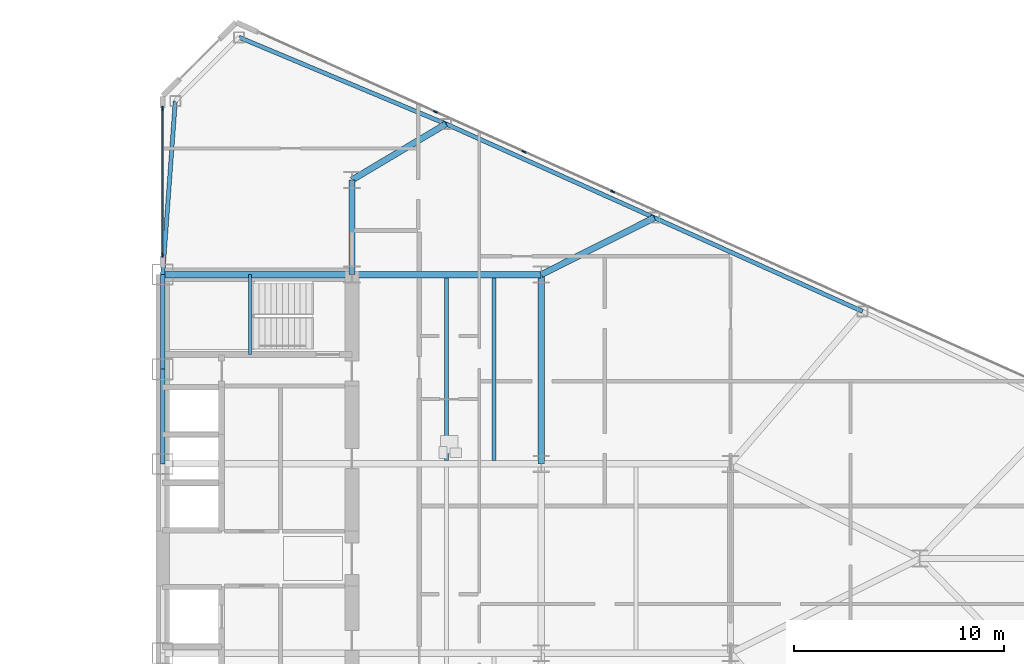
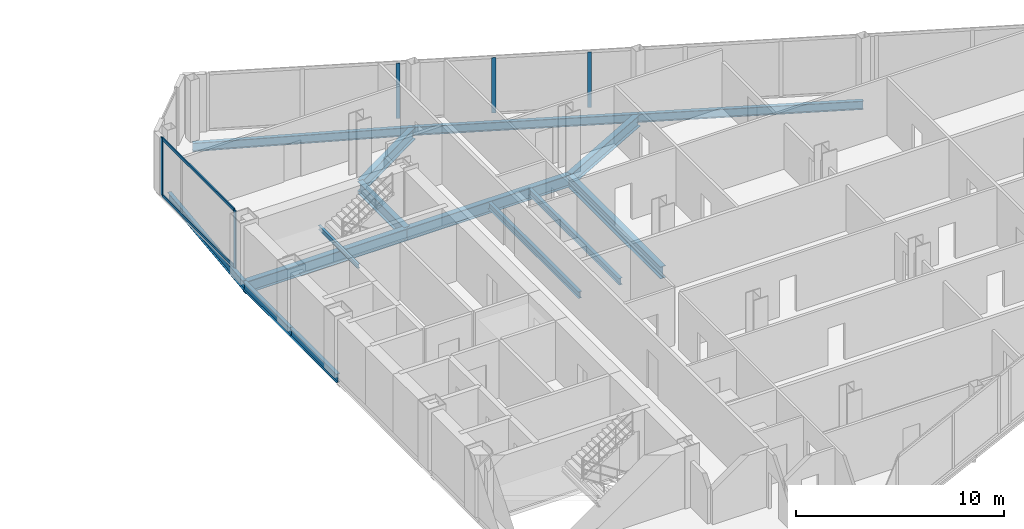
# One storey, part 13 of 27: 15 beams, 7 members, 2 elements without a shape of their own.
"""IFC4 building model written with IfcOpenShell, lengths in metres."""

from ifc_helpers import new_model, si_unit, direction, frame, origin, origin_2d, place, context, subcontext, project, spatial, rectangle, i_section, extrude, source, transform, mapped, material, layer, layer_set, material_profile, profile_set, type_object, type_shapes, element, aggregate, save


model = new_model("IFC4")

# Units and contexts
model_context = context("Model", 3, precision=1e-05, world=origin(), true_north=direction((0.0, 1.0)))
body_context = subcontext(model_context, "Body", "Model", "MODEL_VIEW")
ifc_project = project(units=[si_unit("LENGTHUNIT", "METRE"), si_unit("AREAUNIT", "SQUARE_METRE"), si_unit("VOLUMEUNIT", "CUBIC_METRE"), si_unit("PLANEANGLEUNIT", "RADIAN"), si_unit("MASSUNIT", "GRAM", prefix="KILO")], contexts=[model_context])

# Site, building, storey
site_placement = place(None, origin())
site = spatial("IfcSite", under=ifc_project, at=site_placement, CompositionType="ELEMENT")
building_placement = place(site_placement, origin())
building = spatial("IfcBuilding", under=site, at=building_placement, Name="Seokmaru Belvedere", CompositionType="ELEMENT")
storey_placement = place(building_placement, frame((0.0, 0.0, 65.699951171875)))
storey = spatial("IfcBuildingStorey", under=building, at=storey_placement, Name="L17", CompositionType="ELEMENT", Elevation=65.699951171875)

# Beams
ifc_material_1 = material(Name="Steel SM355 (355 MPa)", Category="steel")
ifc_material_profile_1 = material_profile(ifc_material_1, i_section(OverallWidth=0.199951171875, OverallDepth=0.5, WebThickness=0.010009765625, FlangeThickness=0.01611328125, at=origin_2d()), Name="H-500x200x10x16")
ifc_profile_set_1 = profile_set([ifc_material_profile_1], Name="Steel SM355 (355 MPa)")
beam_type_1 = type_object("IfcBeamType", Name="Perimeter Spandrel Beam H-500", PredefinedType="SPANDREL", material=ifc_profile_set_1)
shared_shape_1 = source(origin(), body_context, "Body", "SweptSolid", [
    extrude(i_section(OverallWidth=0.199951171875, OverallDepth=0.5, WebThickness=0.010009765625, FlangeThickness=0.01611328125, at=origin_2d()), origin(), (0.0, 0.0, 1.0), 4.5),
])
for number, where, z_axis, x_axis, name in (
    (1, (27.5, 4.5, -0.469970703125), (0.0, 1.0, 0.0), (-1.0, 0.0, 0.0), "L17 E Portal Spine Spandrel 4"),
    (2, (27.5, 9.0, -0.469970703125), (0.0, 1.0, 0.0), (-1.0, 0.0, 0.0), "L17 E Portal Spine Spandrel 5"),
):
    element("IfcBeam", number, at=place(storey_placement, frame(where, z_axis=z_axis, x_axis=x_axis)), inside=storey, type_object=beam_type_1, Name=name, PredefinedType="SPANDREL", context=body_context, shape_type="MappedRepresentation", body=[
        mapped(shared_shape_1, transform((0.0, 0.0, 0.0), scale=1.0)),
    ])
ifc_material_profile_2 = material_profile(ifc_material_1, i_section(OverallWidth=0.300048828125, OverallDepth=0.699951171875, WebThickness=0.012939453125, FlangeThickness=0.02392578125, at=origin_2d()), Name="H-700x300x13x24")
ifc_profile_set_2 = profile_set([ifc_material_profile_2], Name="Steel SM355 (355 MPa)")
beam_type_2 = type_object("IfcBeamType", Name="Primary Floor Girder H-700", PredefinedType="BEAM", material=ifc_profile_set_2)
shared_shape_2 = source(origin(), body_context, "Body", "SweptSolid", [
    extrude(i_section(OverallWidth=0.300048828125, OverallDepth=0.699951171875, WebThickness=0.012939453125, FlangeThickness=0.02392578125, at=origin_2d()), origin(), (0.0, 0.0, 1.0), 4.5),
])
beam_1_placement = place(storey_placement, frame((36.5, 13.5, -0.570068359375), z_axis=(0.0, 1.0, 0.0), x_axis=(-1.0, 0.0, 0.0)))
element("IfcBeam", 3, at=beam_1_placement, inside=storey, type_object=beam_type_2, Name="L17 E Core Shoulder Girder N", PredefinedType="BEAM", context=body_context, shape_type="MappedRepresentation", body=[
    mapped(shared_shape_2, transform((0.0, 0.0, 0.0), scale=1.0)),
])
shared_shape_3 = source(origin(), body_context, "Body", "SweptSolid", [
    extrude(i_section(OverallWidth=0.300048828125, OverallDepth=0.699951171875, WebThickness=0.012939453125, FlangeThickness=0.02392578125, at=origin_2d()), origin(), (0.0, 0.0, 1.0), 9.0),
])
for number, where, z_axis, x_axis, name in (
    (4, (45.5, 4.5, -0.570068359375), (0.0, 1.0, 0.0), (-1.0, 0.0, 0.0), "L17 E Interior Grid Girder 3"),
    (5, (27.5, 13.5, -0.570068359375), (1.0, 0.0, 0.0), (0.0, 1.0, 0.0), "L17 E Core Tie Girder 4"),
    (6, (36.5, 13.5, -0.570068359375), (1.0, 0.0, 0.0), (0.0, 1.0, 0.0), "L17 E Wing Primary Girder 4"),
):
    element("IfcBeam", number, at=place(storey_placement, frame(where, z_axis=z_axis, x_axis=x_axis)), inside=storey, type_object=beam_type_2, Name=name, PredefinedType="BEAM", context=body_context, shape_type="MappedRepresentation", body=[
        mapped(shared_shape_3, transform((0.0, 0.0, 0.0), scale=1.0)),
    ])
ifc_material_profile_3 = material_profile(ifc_material_1, i_section(OverallWidth=0.18505859375, OverallDepth=0.389892578125, WebThickness=0.008056640625, FlangeThickness=0.011962890625, at=origin_2d()), Name="H-390x185x8x12")
ifc_profile_set_3 = profile_set([ifc_material_profile_3], Name="Steel SM355 (355 MPa)")
beam_type_3 = type_object("IfcBeamType", Name="Secondary Floor Joist H-350", PredefinedType="JOIST", material=ifc_profile_set_3)
shared_shape_4 = source(origin(), body_context, "Body", "SweptSolid", [
    extrude(i_section(OverallWidth=0.18505859375, OverallDepth=0.389892578125, WebThickness=0.008056640625, FlangeThickness=0.011962890625, at=origin_2d()), origin(), (0.0, 0.0, 1.0), 8.68994140625),
])
type_shapes(beam_type_3, [shared_shape_4])
for number, where, z_axis, x_axis, name in (
    (7, (43.25, 4.655029296875, -0.4150390625), (0.0, 1.0, 0.0), (-1.0, 0.0, 0.0), "L17 E Wing Inner Secondary Joist 2"),
    (8, (41.0, 4.655029296875, -0.4150390625), (0.0, 1.0, 0.0), (-1.0, 0.0, 0.0), "L17 E Secondary Floor Joist 3"),
):
    element("IfcBeam", number, at=place(storey_placement, frame(where, z_axis=z_axis, x_axis=x_axis)), inside=storey, type_object=beam_type_3, Name=name, PredefinedType="JOIST", context=body_context, shape_type="MappedRepresentation", body=[
        mapped(shared_shape_4, transform((0.0, 0.0, 0.0), scale=1.0)),
    ])
shared_shape_5 = source(origin(), body_context, "Body", "SweptSolid", [
    extrude(i_section(OverallWidth=0.199951171875, OverallDepth=0.5, WebThickness=0.010009765625, FlangeThickness=0.01611328125, at=origin_2d()), origin(), (0.0, 0.0, 1.0), 10.66943359375),
])
beam_2_placement = place(storey_placement, frame((31.13134765625, 24.782958984375, -0.469970703125), z_axis=(0.922375393128, -0.386294750355, 0.0), x_axis=(0.386294750355, 0.922375393128, 0.0)))
element("IfcBeam", 9, at=beam_2_placement, inside=storey, type_object=beam_type_1, Name="L17 E Faceted Flank Spandrel N-1", PredefinedType="SPANDREL", context=body_context, shape_type="MappedRepresentation", body=[
    mapped(shared_shape_5, transform((0.0, 0.0, 0.0), scale=1.0)),
])
shared_shape_6 = source(origin(), body_context, "Body", "SweptSolid", [
    extrude(i_section(OverallWidth=0.199951171875, OverallDepth=0.5, WebThickness=0.010009765625, FlangeThickness=0.01611328125, at=origin_2d()), origin(), (0.0, 0.0, 1.0), 10.85888671875),
])
for number, where, z_axis, x_axis, name in (
    (10, (40.97265625, 20.661376953125, -0.469970703125), (0.911921505175, -0.410364677329, 0.0), (0.410364677329, 0.911921505175, 0.0), "L17 E Faceted Flank Spandrel N-2"),
    (11, (50.875, 16.205322265625, -0.469970703125), (0.911925291223, -0.410356263785, 0.0), (0.410356263785, 0.911925291223, 0.0), "L17 E Faceted Flank Spandrel N-3"),
):
    element("IfcBeam", number, at=place(storey_placement, frame(where, z_axis=z_axis, x_axis=x_axis)), inside=storey, type_object=beam_type_1, Name=name, PredefinedType="SPANDREL", context=body_context, shape_type="MappedRepresentation", body=[
        mapped(shared_shape_6, transform((0.0, 0.0, 0.0), scale=1.0)),
    ])
shared_shape_7 = source(origin(), body_context, "Body", "SweptSolid", [
    extrude(i_section(OverallWidth=0.199951171875, OverallDepth=0.5, WebThickness=0.010009765625, FlangeThickness=0.01611328125, at=origin_2d()), origin(), (0.0, 0.0, 1.0), 8.273193359375),
])
type_shapes(beam_type_1, [shared_shape_1, shared_shape_5, shared_shape_6, shared_shape_7])
beam_3_placement = place(storey_placement, frame((28.10009765625, 21.75146484375, -0.469970703125), z_axis=(-0.072534628348, -0.99736589459, 0.0), x_axis=(0.99736589459, -0.072534628348, 0.0)))
element("IfcBeam", 12, at=beam_3_placement, inside=storey, type_object=beam_type_1, Name="L17 E Shoulder Spine Spandrel N", PredefinedType="SPANDREL", context=body_context, shape_type="MappedRepresentation", body=[
    mapped(shared_shape_7, transform((0.0, 0.0, 0.0), scale=1.0)),
])
shared_shape_8 = source(origin(), body_context, "Body", "SweptSolid", [
    extrude(i_section(OverallWidth=0.300048828125, OverallDepth=0.699951171875, WebThickness=0.012939453125, FlangeThickness=0.02392578125, at=origin_2d()), origin(), (0.0, 0.0, 1.0), 5.20458984375),
])
beam_4_placement = place(storey_placement, frame((40.97265625, 20.661376953125, -0.570068359375), z_axis=(-0.859370434188, -0.511353553662, 0.0), x_axis=(0.511353553662, -0.859370434188, 0.0)))
element("IfcBeam", 13, at=beam_4_placement, inside=storey, type_object=beam_type_2, Name="L17 E Flank Radial Floor Girder N-1", PredefinedType="BEAM", context=body_context, shape_type="MappedRepresentation", body=[
    mapped(shared_shape_8, transform((0.0, 0.0, 0.0), scale=1.0)),
])
shared_shape_9 = source(origin(), body_context, "Body", "SweptSolid", [
    extrude(i_section(OverallWidth=0.300048828125, OverallDepth=0.699951171875, WebThickness=0.012939453125, FlangeThickness=0.02392578125, at=origin_2d()), origin(), (0.0, 0.0, 1.0), 6.017333984375),
])
type_shapes(beam_type_2, [shared_shape_2, shared_shape_3, shared_shape_8, shared_shape_9])
beam_5_placement = place(storey_placement, frame((50.875, 16.205322265625, -0.570068359375), z_axis=(-0.893239341975, -0.449581447512, 0.0), x_axis=(0.449581447512, -0.893239341975, 0.0)))
element("IfcBeam", 14, at=beam_5_placement, inside=storey, type_object=beam_type_2, Name="L17 E Flank Radial Floor Girder N-2", PredefinedType="BEAM", context=body_context, shape_type="MappedRepresentation", body=[
    mapped(shared_shape_9, transform((0.0, 0.0, 0.0), scale=1.0)),
])

# Curtain wall, members
ifc_material_2 = material(Name="Bronze Triple Insulating Glass", Category="glass")
ifc_layer = layer(ifc_material_2, 0.195068359375)
ifc_layer_set = layer_set([ifc_layer], Name="Bronze Triple Insulating Glass")
curtain_wall_type = type_object("IfcCurtainWallType", Name="Lower-Mid Tapered Curtain Wall System CW-3", PredefinedType="NOTDEFINED", material=ifc_layer_set)
curtain_wall_1_placement = place(storey_placement, origin())
curtain_wall_1 = element("IfcCurtainWall", 15, at=curtain_wall_1_placement, inside=storey, type_object=curtain_wall_type, Name="L17 Curtain Wall ESP_2", PredefinedType="NOTDEFINED")
ifc_material_3 = material(Name="Anodised Bronze Aluminium", Category="aluminium")
ifc_material_profile_4 = material_profile(ifc_material_3, rectangle(XDim=0.070068359375, YDim=0.1650390625, at=origin_2d()), Name="CW-T-70x165")
ifc_profile_set_4 = profile_set([ifc_material_profile_4], Name="Anodised Bronze Aluminium")
member_type_1 = type_object("IfcMemberType", Name="Bronze Unitised Transom 70x165", PredefinedType="USERDEFINED", material=ifc_profile_set_4)
shared_shape_10 = source(origin(), body_context, "Body", "SweptSolid", [
    extrude(rectangle(XDim=0.070068359375, YDim=0.1650390625, at=origin_2d()), origin(), (0.0, 0.0, 1.0), 6.91015625),
])
type_shapes(member_type_1, [shared_shape_10])
member_1_placement = place(storey_placement, frame((27.5, 21.360107421875, 0.03515625), z_axis=(0.0, -1.0, 0.0), x_axis=(1.0, 0.0, 0.0)))
member_1 = element("IfcMember", 16, at=member_1_placement, type_object=member_type_1, Name="CW:L17:ESP_2 Continuous Transom 1", ObjectType="TRANSOM", PredefinedType="USERDEFINED", context=body_context, shape_type="MappedRepresentation", body=[
    mapped(shared_shape_10, transform((0.0, 0.0, 0.0), scale=1.0)),
])
member_2_placement = place(storey_placement, frame((27.5, 21.360107421875, 3.344970703125), z_axis=(0.0, -1.0, 0.0), x_axis=(1.0, 0.0, 0.0)))
member_2 = element("IfcMember", 17, at=member_2_placement, type_object=member_type_1, Name="CW:L17:ESP_2 Continuous Transom 2", ObjectType="TRANSOM", PredefinedType="USERDEFINED", context=body_context, shape_type="MappedRepresentation", body=[
    mapped(shared_shape_10, transform((0.0, 0.0, 0.0), scale=1.0)),
])

curtain_wall_2_placement = place(storey_placement, origin())
curtain_wall_2 = element("IfcCurtainWall", 18, at=curtain_wall_2_placement, inside=storey, type_object=curtain_wall_type, Name="L17 Curtain Wall EF3", PredefinedType="NOTDEFINED")
ifc_material_profile_5 = material_profile(ifc_material_3, rectangle(XDim=0.070068359375, YDim=0.195068359375, at=origin_2d()), Name="CW-M-70x195")
ifc_profile_set_5 = profile_set([ifc_material_profile_5], Name="Anodised Bronze Aluminium")
member_type_2 = type_object("IfcMemberType", Name="Bronze Unitised Mullion 70x195", PredefinedType="MULLION", material=ifc_profile_set_5)
shared_shape_11 = source(origin(), body_context, "Body", "SweptSolid", [
    extrude(rectangle(XDim=0.070068359375, YDim=0.195068359375, at=origin_2d()), origin(), (0.0, 0.0, 1.0), 3.239990234375),
])
member_3_placement = place(storey_placement, frame((48.894287109375, 17.447509765625, 0.070068359375), z_axis=(0.0, 0.0, 1.0), x_axis=(-0.41036554765, -0.91192111353, 0.0)))
member_3 = element("IfcMember", 19, at=member_3_placement, type_object=member_type_2, Name="CW:L17:EF3 Mullion 6", PredefinedType="MULLION", context=body_context, shape_type="MappedRepresentation", body=[
    mapped(shared_shape_11, transform((0.0, 0.0, 0.0), scale=1.0)),
])
member_4_placement = place(storey_placement, frame((44.682861328125, 19.3427734375, 0.070068359375), z_axis=(0.0, 0.0, 1.0), x_axis=(-0.41036554765, -0.91192111353, 0.0)))
member_4 = element("IfcMember", 20, at=member_4_placement, type_object=member_type_2, Name="CW:L17:EF3 Mullion 7", PredefinedType="MULLION", context=body_context, shape_type="MappedRepresentation", body=[
    mapped(shared_shape_11, transform((0.0, 0.0, 0.0), scale=1.0)),
])
member_5_placement = place(storey_placement, frame((40.471435546875, 21.23779296875, 0.070068359375), z_axis=(0.0, 0.0, 1.0), x_axis=(-0.41036554765, -0.91192111353, 0.0)))
member_5 = element("IfcMember", 21, at=member_5_placement, type_object=member_type_2, Name="CW:L17:EF3 Mullion 8", PredefinedType="MULLION", context=body_context, shape_type="MappedRepresentation", body=[
    mapped(shared_shape_11, transform((0.0, 0.0, 0.0), scale=1.0)),
])
aggregate(curtain_wall_2, [member_3, member_4, member_5])

# Member
shared_shape_12 = source(origin(), body_context, "Body", "SweptSolid", [
    extrude(rectangle(XDim=0.070068359375, YDim=0.195068359375, at=origin_2d()), origin(), (0.0, 0.0, 1.0), 3.380126953125),
])
type_shapes(member_type_2, [shared_shape_11, shared_shape_12])
member_6_placement = place(storey_placement, frame((27.5, 21.39501953125, 0.0), z_axis=(0.0, 0.0, 1.0), x_axis=(1.0, 0.0, 0.0)))
member_6 = element("IfcMember", 22, at=member_6_placement, type_object=member_type_2, Name="CW:L17:ESP_2 Mullion 1", PredefinedType="MULLION", context=body_context, shape_type="MappedRepresentation", body=[
    mapped(shared_shape_12, transform((0.0, 0.0, 0.0), scale=1.0)),
])

member_7_placement = place(storey_placement, frame((27.5, 14.4150390625, 0.0), z_axis=(0.0, 0.0, 1.0), x_axis=(1.0, 0.0, 0.0)))
member_7 = element("IfcMember", 23, at=member_7_placement, type_object=member_type_2, Name="CW:L17:ESP_2 Mullion 2", PredefinedType="MULLION", context=body_context, shape_type="MappedRepresentation", body=[
    mapped(shared_shape_12, transform((0.0, 0.0, 0.0), scale=1.0)),
])

aggregate(curtain_wall_1, [member_6, member_7, member_1, member_2])

# Beam
ifc_material_profile_6 = material_profile(ifc_material_1, i_section(OverallWidth=0.125, OverallDepth=0.25, WebThickness=0.006103515625, FlangeThickness=0.009033203125, at=origin_2d()), Name="H-250x125x6x9")
ifc_profile_set_6 = profile_set([ifc_material_profile_6], Name="Steel SM355 (355 MPa)")
beam_type_4 = type_object("IfcBeamType", Name="Stair Mid-Landing Support Beam H-250", PredefinedType="JOIST", material=ifc_profile_set_6)
shared_shape_13 = source(origin(), body_context, "Body", "SweptSolid", [
    extrude(i_section(OverallWidth=0.125, OverallDepth=0.25, WebThickness=0.006103515625, FlangeThickness=0.009033203125, at=origin_2d()), origin(), (0.0, 0.0, 1.0), 3.800048828125),
])
type_shapes(beam_type_4, [shared_shape_13])
beam_6_placement = place(storey_placement, frame((31.64990234375, 9.699951171875, 1.47509765625), z_axis=(0.0, 1.0, 0.0), x_axis=(-1.0, 0.0, 0.0)))
element("IfcBeam", 24, at=beam_6_placement, inside=storey, type_object=beam_type_4, Name="L17 Stair ST-E2 Mid-Landing Support Beam 1", PredefinedType="JOIST", context=body_context, shape_type="MappedRepresentation", body=[
    mapped(shared_shape_13, transform((0.0, 0.0, 0.0), scale=1.0)),
])

save(model, "model.ifc")
